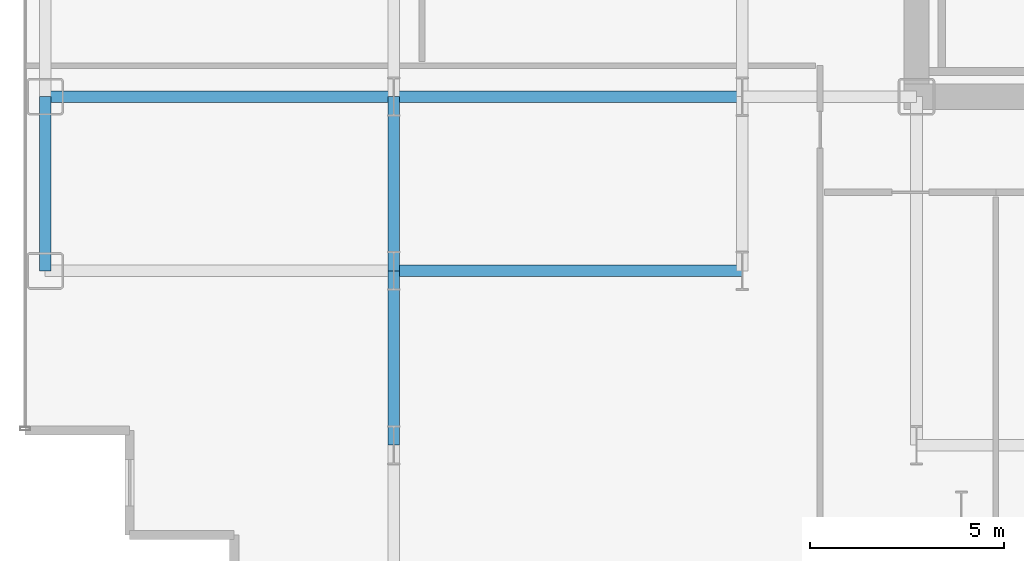
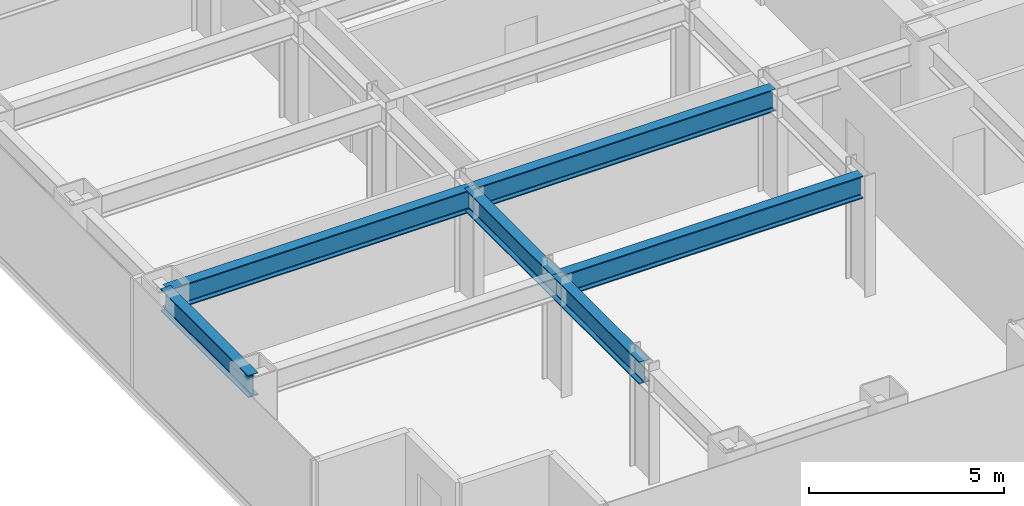
# One storey, part 3 of 26: 6 beams.
"""IFC4 building model written with IfcOpenShell, lengths in metres."""

from ifc_helpers import new_model, si_unit, direction, frame, origin, origin_2d, place, context, subcontext, project, spatial, i_section, extrude, source, transform, mapped, material, material_profile, profile_set, type_object, element, save


model = new_model("IFC4")

# Units and contexts
model_context = context("Model", 3, precision=1e-05, world=origin(), true_north=direction((0.0, 1.0)))
body_context = subcontext(model_context, "Body", "Model", "MODEL_VIEW")
ifc_project = project(units=[si_unit("LENGTHUNIT", "METRE"), si_unit("AREAUNIT", "SQUARE_METRE"), si_unit("VOLUMEUNIT", "CUBIC_METRE"), si_unit("PLANEANGLEUNIT", "RADIAN"), si_unit("MASSUNIT", "GRAM", prefix="KILO")], contexts=[model_context])

# Site, building, storey
site_placement = place(None, origin())
site = spatial("IfcSite", under=ifc_project, at=site_placement, CompositionType="ELEMENT")
building_placement = place(site_placement, origin())
building = spatial("IfcBuilding", under=site, at=building_placement, Name="Nefas-Gora Pilgrimage Tower", CompositionType="ELEMENT")
storey_placement = place(building_placement, frame((0.0, 0.0, 40.60009765625)))
storey = spatial("IfcBuildingStorey", under=building, at=storey_placement, Name="L08", CompositionType="ELEMENT", Elevation=40.60009765625)

# Beams
ifc_material = material(Name="Steel S355", Category="steel")
ifc_material_profile_1 = material_profile(ifc_material, i_section(OverallWidth=0.300048828125, OverallDepth=0.699951171875, WebThickness=0.01708984375, FlangeThickness=0.031982421875, FilletRadius=0.027099609375, at=origin_2d()), Name="HEB 700")
ifc_profile_set_1 = profile_set([ifc_material_profile_1], Name="Steel S355")
beam_type_1 = type_object("IfcBeamType", Name="BM-SPN-HEB600", PredefinedType="SPANDREL", material=ifc_profile_set_1)
shared_shape_1 = source(origin(), body_context, "Body", "SweptSolid", [
    extrude(i_section(OverallWidth=0.300048828125, OverallDepth=0.699951171875, WebThickness=0.01708984375, FlangeThickness=0.031982421875, FilletRadius=0.027099609375, at=origin_2d()), origin(), (0.0, 0.0, 1.0), 4.5),
])
beam_placement = place(storey_placement, frame((-33.75, -13.5, 3.199951171875), z_axis=(0.0, 1.0, 0.0), x_axis=(-1.0, 0.0, 0.0)))
element("IfcBeam", 1, at=beam_placement, inside=storey, type_object=beam_type_1, Name="L08 SP-01 beam", PredefinedType="SPANDREL", context=body_context, shape_type="MappedRepresentation", body=[
    mapped(shared_shape_1, transform((0.0, 0.0, 0.0), x_axis=(1.0, 0.0, 0.0), y_axis=(0.0, 1.0, 0.0), z_axis=(0.0, 0.0, 1.0), scale=1.0)),
])
ifc_material_profile_2 = material_profile(ifc_material, i_section(OverallWidth=0.300048828125, OverallDepth=0.699951171875, WebThickness=0.01708984375, FlangeThickness=0.031982421875, FilletRadius=0.027099609375, at=origin_2d()), Name="HEB 700")
ifc_profile_set_2 = profile_set([ifc_material_profile_2], Name="Steel S355")
beam_type_2 = type_object("IfcBeamType", Name="BM-GIR-HEB700", PredefinedType="BEAM", material=ifc_profile_set_2)
shared_shape_2 = source(origin(), body_context, "Body", "SweptSolid", [
    extrude(i_section(OverallWidth=0.300048828125, OverallDepth=0.699951171875, WebThickness=0.01708984375, FlangeThickness=0.031982421875, FilletRadius=0.027099609375, at=origin_2d()), origin(), (0.0, 0.0, 1.0), 9.0),
])
for number, where, z_axis, x_axis, name in (
    (2, (-33.75, -9.0, 3.199951171875), (1.0, 0.0, 0.0), (0.0, 1.0, 0.0), "L08 G-02 beam"),
    (3, (-24.75, -13.5, 3.199951171875), (1.0, 0.0, 0.0), (0.0, 1.0, 0.0), "L08 G-02 beam"),
    (4, (-24.75, -9.0, 3.199951171875), (1.0, 0.0, 0.0), (0.0, 1.0, 0.0), "L08 G-02 beam"),
):
    element("IfcBeam", number, at=place(storey_placement, frame(where, z_axis=z_axis, x_axis=x_axis)), inside=storey, type_object=beam_type_2, Name=name, PredefinedType="BEAM", context=body_context, shape_type="MappedRepresentation", body=[
        mapped(shared_shape_2, transform((0.0, 0.0, 0.0), x_axis=(1.0, 0.0, 0.0), y_axis=(0.0, 1.0, 0.0), z_axis=(0.0, 0.0, 1.0), scale=1.0)),
    ])
shared_shape_3 = source(origin(), body_context, "Body", "SweptSolid", [
    extrude(i_section(OverallWidth=0.300048828125, OverallDepth=0.699951171875, WebThickness=0.01708984375, FlangeThickness=0.031982421875, FilletRadius=0.027099609375, at=origin_2d()), origin(), (0.0, 0.0, 1.0), 4.5),
])
for number, where, z_axis, x_axis, name in (
    (5, (-24.75, -18.0, 3.199951171875), (0.0, 1.0, 0.0), (-1.0, 0.0, 0.0), "L08 G-02 beam"),
    (6, (-24.75, -13.5, 3.199951171875), (0.0, 1.0, 0.0), (-1.0, 0.0, 0.0), "L08 G-02 beam"),
):
    element("IfcBeam", number, at=place(storey_placement, frame(where, z_axis=z_axis, x_axis=x_axis)), inside=storey, type_object=beam_type_2, Name=name, PredefinedType="BEAM", context=body_context, shape_type="MappedRepresentation", body=[
        mapped(shared_shape_3, transform((0.0, 0.0, 0.0), x_axis=(1.0, 0.0, 0.0), y_axis=(0.0, 1.0, 0.0), z_axis=(0.0, 0.0, 1.0), scale=1.0)),
    ])

save(model, "model.ifc")
